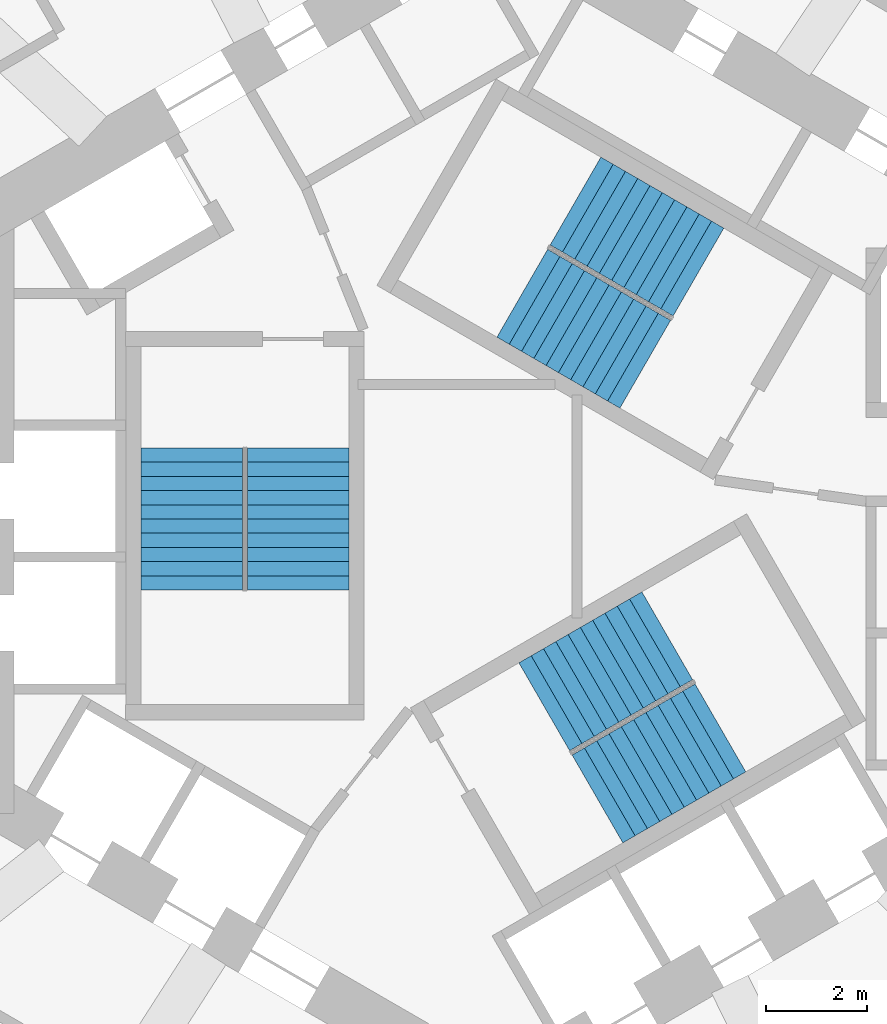
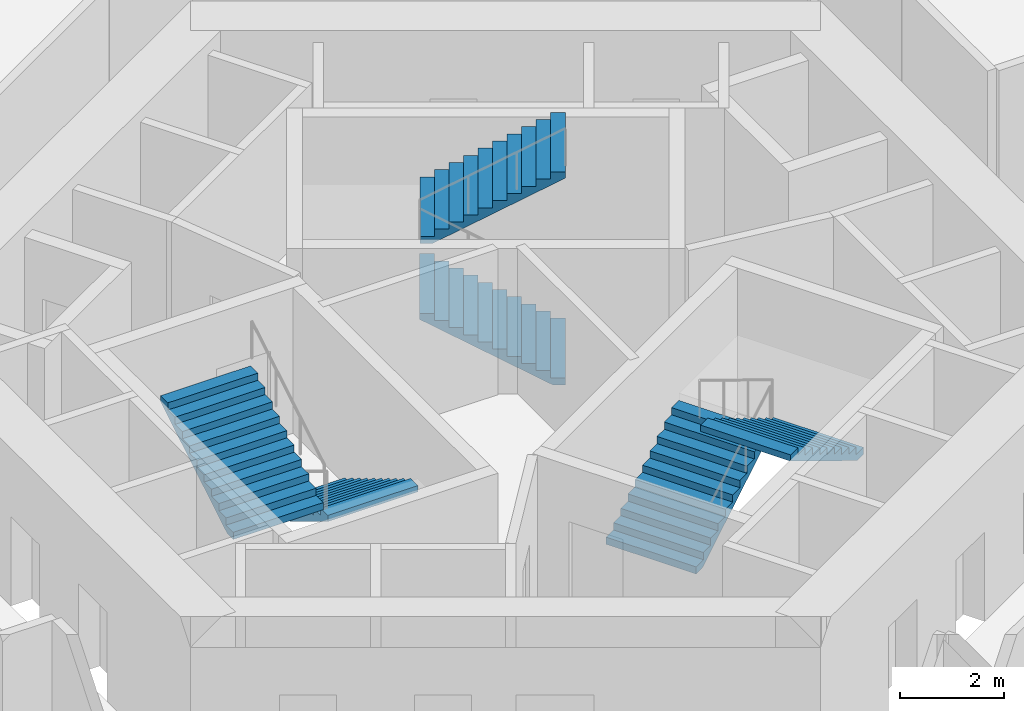
# One storey, part 8 of 10: 6 stair flights, 3 elements without a shape of their own.
"""IFC4 building model written with IfcOpenShell, lengths in metres."""

from ifc_helpers import new_model, si_unit, direction, frame, origin, place, context, subcontext, project, spatial, triangles, source, transform, mapped, material, type_object, element, aggregate, save


model = new_model("IFC4")

# Units and contexts
model_context = context("Model", 3, precision=1e-05, world=origin(), true_north=direction((0.0, 1.0)))
body_context = subcontext(model_context, "Body", "Model", "MODEL_VIEW")
ifc_project = project(units=[si_unit("LENGTHUNIT", "METRE"), si_unit("AREAUNIT", "SQUARE_METRE"), si_unit("VOLUMEUNIT", "CUBIC_METRE"), si_unit("PLANEANGLEUNIT", "RADIAN"), si_unit("MASSUNIT", "GRAM", prefix="KILO")], contexts=[model_context])

# Site, building, storey
site_placement = place(None, origin())
site = spatial("IfcSite", under=ifc_project, at=site_placement, CompositionType="ELEMENT")
building_placement = place(site_placement, origin())
building = spatial("IfcBuilding", under=site, at=building_placement, Name="Vanh Sen Convention Tower", CompositionType="ELEMENT")
storey_placement = place(building_placement, frame((0.0, 0.0, 191.0)))
storey = spatial("IfcBuildingStorey", under=building, at=storey_placement, Name="L47", CompositionType="ELEMENT", Elevation=191.0)

# Stair, stair flights
ifc_material_1 = material(Name="Concrete C50/60", Category="concrete")
stair_type_1 = type_object("IfcStairType", Name="Exit stair ST1 22 risers at 168.2", PredefinedType="HALF_TURN_STAIR", material=ifc_material_1)
stair_1_placement = place(storey_placement, origin())
stair_1 = element("IfcStair", 1, at=stair_1_placement, inside=storey, type_object=stair_type_1, Name="Exit stair ST1 L47", PredefinedType="HALF_TURN_STAIR")
ifc_material_2 = material(Name="Concrete C40/50", Category="concrete")
stair_flight_type = type_object("IfcStairFlightType", Name="Stair flight 2000", PredefinedType="STRAIGHT", material=ifc_material_2)
shared_shape = source(origin(), body_context, "Body", "Tessellation", [
    triangles([(0.24267578125, 1.0, 0.0), (0.0, 1.0, 0.0), (0.0, 1.0, 0.168212890625), (0.280029296875, 1.0, 0.168212890625), (0.280029296875, 1.0, 0.33642578125), (0.56005859375, 1.0, 0.33642578125), (0.56005859375, 1.0, 0.504638671875), (0.840087890625, 1.0, 0.504638671875), (0.840087890625, 1.0, 0.672607421875), (1.1201171875, 1.0, 0.672607421875), (1.1201171875, 1.0, 0.8408203125), (1.39990234375, 1.0, 0.8408203125), (1.39990234375, 1.0, 1.009033203125), (1.679931640625, 1.0, 1.009033203125), (1.679931640625, 1.0, 1.17724609375), (1.9599609375, 1.0, 1.17724609375), (1.9599609375, 1.0, 1.345458984375), (2.239990234375, 1.0, 1.345458984375), (2.239990234375, 1.0, 1.513671875), (2.52001953125, 1.0, 1.513671875), (2.52001953125, 1.0, 1.681884765625), (2.800048828125, 1.0, 1.681884765625), (2.800048828125, 1.0, 1.535888671875), (0.24267578125, -1.0, 0.0), (0.0, -1.0, 0.0), (0.0, -1.0, 0.168212890625), (0.280029296875, -1.0, 0.168212890625), (0.280029296875, -1.0, 0.33642578125), (0.56005859375, -1.0, 0.33642578125), (0.56005859375, -1.0, 0.504638671875), (0.840087890625, -1.0, 0.504638671875), (0.840087890625, -1.0, 0.672607421875), (1.1201171875, -1.0, 0.672607421875), (1.1201171875, -1.0, 0.8408203125), (1.39990234375, -1.0, 0.8408203125), (1.39990234375, -1.0, 1.009033203125), (1.679931640625, -1.0, 1.009033203125), (1.679931640625, -1.0, 1.17724609375), (1.9599609375, -1.0, 1.17724609375), (1.9599609375, -1.0, 1.345458984375), (2.239990234375, -1.0, 1.345458984375), (2.239990234375, -1.0, 1.513671875), (2.52001953125, -1.0, 1.513671875), (2.52001953125, -1.0, 1.681884765625), (2.800048828125, -1.0, 1.681884765625), (2.800048828125, -1.0, 1.535888671875), (0.0, 0.0400390625, 0.0), (0.0, 0.0390625, 0.0), (0.0, 0.0380859375, 0.0), (0.0, 0.037109375, 0.0), (0.0, 0.035888671875, 0.0), (0.0, 0.034912109375, 0.0), (0.0, 0.033935546875, 0.0), (0.0, 0.032958984375, 0.0), (0.0, 0.031982421875, 0.0), (0.0, 0.031005859375, 0.0), (0.0, 0.030029296875, 0.0), (0.0, 0.029052734375, 0.0), (0.0, 0.028076171875, 0.0), (0.0, 0.027099609375, 0.0), (0.0, 0.02587890625, 0.0), (0.0, 0.02490234375, 0.0), (0.0, 0.02392578125, 0.0), (0.0, 0.02294921875, 0.0), (0.0, 0.02197265625, 0.0), (0.0, 0.02099609375, 0.0), (0.0, 0.02001953125, 0.0), (0.0, 0.01904296875, 0.0), (0.0, 0.01806640625, 0.0), (0.0, 0.01708984375, 0.0), (0.0, 0.01611328125, 0.0), (0.0, 0.014892578125, 0.0), (0.0, 0.013916015625, 0.0), (0.0, 0.012939453125, 0.0), (0.0, 0.011962890625, 0.0), (0.0, 0.010986328125, 0.0), (0.0, 0.010009765625, 0.0), (0.0, 0.009033203125, 0.0), (0.0, 0.008056640625, 0.0), (0.0, 0.007080078125, 0.0), (0.0, 0.006103515625, 0.0), (0.0, 0.0048828125, 0.0), (0.0, 0.00390625, 0.0), (0.0, 0.0029296875, 0.0), (0.0, 0.001953125, 0.0), (0.0, 0.0009765625, 0.0), (0.0, 0.0, 0.0), (0.0, -0.0009765625, 0.0), (0.0, -0.001953125, 0.0), (0.0, -0.0029296875, 0.0), (0.0, -0.00390625, 0.0), (0.0, -0.0048828125, 0.0), (0.0, -0.006103515625, 0.0), (0.0, -0.007080078125, 0.0), (0.0, -0.008056640625, 0.0), (0.0, -0.009033203125, 0.0), (0.0, -0.010009765625, 0.0), (0.0, -0.010986328125, 0.0), (0.0, -0.011962890625, 0.0), (0.0, -0.012939453125, 0.0), (0.0, -0.013916015625, 0.0), (0.0, -0.014892578125, 0.0), (0.0, -0.01611328125, 0.0), (0.0, -0.01708984375, 0.0), (0.0, -0.01806640625, 0.0), (0.0, -0.01904296875, 0.0), (0.0, -0.02001953125, 0.0), (0.0, -0.02099609375, 0.0), (0.0, -0.02197265625, 0.0), (0.0, -0.02294921875, 0.0), (0.0, -0.02392578125, 0.0), (0.0, -0.02490234375, 0.0), (0.0, -0.02587890625, 0.0), (0.0, -0.027099609375, 0.0), (0.0, -0.028076171875, 0.0), (0.0, -0.029052734375, 0.0), (0.0, -0.030029296875, 0.0), (0.0, -0.031005859375, 0.0), (0.0, -0.031982421875, 0.0), (0.0, -0.032958984375, 0.0), (0.0, -0.033935546875, 0.0), (0.0, -0.034912109375, 0.0), (0.0, -0.035888671875, 0.0), (0.0, -0.037109375, 0.0), (0.0, -0.0380859375, 0.0), (0.0, -0.0390625, 0.0), (0.0, -0.0400390625, 0.0), (0.0, 0.0400390625, 0.168212890625), (0.0, 0.0390625, 0.168212890625), (0.0, 0.0380859375, 0.168212890625), (0.0, 0.037109375, 0.168212890625), (0.0, 0.035888671875, 0.168212890625), (0.0, 0.034912109375, 0.168212890625), (0.0, 0.033935546875, 0.168212890625), (0.0, 0.032958984375, 0.168212890625), (0.0, 0.031982421875, 0.168212890625), (0.0, 0.031005859375, 0.168212890625), (0.0, 0.030029296875, 0.168212890625), (0.0, 0.029052734375, 0.168212890625), (0.0, 0.028076171875, 0.168212890625), (0.0, 0.027099609375, 0.168212890625), (0.0, 0.02587890625, 0.168212890625), (0.0, 0.02490234375, 0.168212890625), (0.0, 0.02392578125, 0.168212890625), (0.0, 0.02294921875, 0.168212890625), (0.0, 0.02197265625, 0.168212890625), (0.0, 0.02099609375, 0.168212890625), (0.0, 0.02001953125, 0.168212890625), (0.0, 0.01904296875, 0.168212890625), (0.0, 0.01806640625, 0.168212890625), (0.0, 0.01708984375, 0.168212890625), (0.0, 0.01611328125, 0.168212890625), (0.0, 0.014892578125, 0.168212890625), (0.0, 0.013916015625, 0.168212890625), (0.0, 0.012939453125, 0.168212890625), (0.0, 0.011962890625, 0.168212890625), (0.0, 0.010986328125, 0.168212890625), (0.0, 0.010009765625, 0.168212890625), (0.0, 0.009033203125, 0.168212890625), (0.0, 0.008056640625, 0.168212890625), (0.0, 0.007080078125, 0.168212890625), (0.0, 0.006103515625, 0.168212890625), (0.0, 0.0048828125, 0.168212890625), (0.0, 0.00390625, 0.168212890625), (0.0, 0.0029296875, 0.168212890625), (0.0, 0.001953125, 0.168212890625), (0.0, 0.0009765625, 0.168212890625), (0.0, 0.0, 0.168212890625), (0.0, -0.0009765625, 0.168212890625), (0.0, -0.001953125, 0.168212890625), (0.0, -0.0029296875, 0.168212890625), (0.0, -0.00390625, 0.168212890625), (0.0, -0.0048828125, 0.168212890625), (0.0, -0.006103515625, 0.168212890625), (0.0, -0.007080078125, 0.168212890625), (0.0, -0.008056640625, 0.168212890625), (0.0, -0.009033203125, 0.168212890625), (0.0, -0.010009765625, 0.168212890625), (0.0, -0.010986328125, 0.168212890625), (0.0, -0.011962890625, 0.168212890625), (0.0, -0.012939453125, 0.168212890625), (0.0, -0.013916015625, 0.168212890625), (0.0, -0.014892578125, 0.168212890625), (0.0, -0.01611328125, 0.168212890625), (0.0, -0.01708984375, 0.168212890625), (0.0, -0.01806640625, 0.168212890625), (0.0, -0.01904296875, 0.168212890625), (0.0, -0.02001953125, 0.168212890625), (0.0, -0.02099609375, 0.168212890625), (0.0, -0.02197265625, 0.168212890625), (0.0, -0.02294921875, 0.168212890625), (0.0, -0.02392578125, 0.168212890625), (0.0, -0.02490234375, 0.168212890625), (0.0, -0.02587890625, 0.168212890625), (0.0, -0.027099609375, 0.168212890625), (0.0, -0.028076171875, 0.168212890625), (0.0, -0.029052734375, 0.168212890625), (0.0, -0.030029296875, 0.168212890625), (0.0, -0.031005859375, 0.168212890625), (0.0, -0.031982421875, 0.168212890625), (0.0, -0.032958984375, 0.168212890625), (0.0, -0.033935546875, 0.168212890625), (0.0, -0.034912109375, 0.168212890625), (0.0, -0.035888671875, 0.168212890625), (0.0, -0.037109375, 0.168212890625), (0.0, -0.0380859375, 0.168212890625), (0.0, -0.0390625, 0.168212890625), (0.0, -0.0400390625, 0.168212890625), (0.280029296875, 0.0, 0.168212890625), (0.280029296875, 0.0, 0.33642578125), (0.56005859375, 0.0, 0.33642578125), (0.56005859375, 0.0, 0.504638671875), (0.840087890625, 0.0, 0.504638671875), (0.840087890625, 0.0, 0.672607421875), (1.1201171875, 0.0, 0.672607421875), (1.1201171875, 0.0, 0.8408203125), (1.39990234375, 0.0, 0.8408203125), (1.39990234375, 0.0, 1.009033203125), (1.679931640625, 0.0, 1.009033203125), (1.679931640625, 0.0, 1.17724609375), (1.9599609375, 0.0, 1.17724609375), (1.9599609375, 0.0, 1.345458984375), (2.239990234375, 0.0, 1.345458984375), (2.239990234375, 0.0, 1.513671875), (2.52001953125, 0.0, 1.513671875), (2.52001953125, 0.0, 1.681884765625), (2.800048828125, 0.0400390625, 1.681884765625), (2.800048828125, 0.0390625, 1.681884765625), (2.800048828125, 0.0380859375, 1.681884765625), (2.800048828125, 0.037109375, 1.681884765625), (2.800048828125, 0.035888671875, 1.681884765625), (2.800048828125, 0.034912109375, 1.681884765625), (2.800048828125, 0.033935546875, 1.681884765625), (2.800048828125, 0.032958984375, 1.681884765625), (2.800048828125, 0.031982421875, 1.681884765625), (2.800048828125, 0.031005859375, 1.681884765625), (2.800048828125, 0.030029296875, 1.681884765625), (2.800048828125, 0.029052734375, 1.681884765625), (2.800048828125, 0.028076171875, 1.681884765625), (2.800048828125, 0.027099609375, 1.681884765625), (2.800048828125, 0.02587890625, 1.681884765625), (2.800048828125, 0.02490234375, 1.681884765625), (2.800048828125, 0.02392578125, 1.681884765625), (2.800048828125, 0.02294921875, 1.681884765625), (2.800048828125, 0.02197265625, 1.681884765625), (2.800048828125, 0.02099609375, 1.681884765625), (2.800048828125, 0.02001953125, 1.681884765625), (2.800048828125, 0.01904296875, 1.681884765625), (2.800048828125, 0.01806640625, 1.681884765625), (2.800048828125, 0.01708984375, 1.681884765625), (2.800048828125, 0.01611328125, 1.681884765625), (2.800048828125, 0.014892578125, 1.681884765625), (2.800048828125, 0.013916015625, 1.681884765625), (2.800048828125, 0.012939453125, 1.681884765625), (2.800048828125, 0.011962890625, 1.681884765625), (2.800048828125, 0.010986328125, 1.681884765625), (2.800048828125, 0.010009765625, 1.681884765625), (2.800048828125, 0.009033203125, 1.681884765625), (2.800048828125, 0.008056640625, 1.681884765625), (2.800048828125, 0.007080078125, 1.681884765625), (2.800048828125, 0.006103515625, 1.681884765625), (2.800048828125, 0.0048828125, 1.681884765625), (2.800048828125, 0.00390625, 1.681884765625), (2.800048828125, 0.0029296875, 1.681884765625), (2.800048828125, 0.001953125, 1.681884765625), (2.800048828125, 0.0009765625, 1.681884765625), (2.800048828125, 0.0, 1.681884765625), (2.800048828125, -0.0009765625, 1.681884765625), (2.800048828125, -0.001953125, 1.681884765625), (2.800048828125, -0.0029296875, 1.681884765625), (2.800048828125, -0.00390625, 1.681884765625), (2.800048828125, -0.0048828125, 1.681884765625), (2.800048828125, -0.006103515625, 1.681884765625), (2.800048828125, -0.007080078125, 1.681884765625), (2.800048828125, -0.008056640625, 1.681884765625), (2.800048828125, -0.009033203125, 1.681884765625), (2.800048828125, -0.010009765625, 1.681884765625), (2.800048828125, -0.010986328125, 1.681884765625), (2.800048828125, -0.011962890625, 1.681884765625), (2.800048828125, -0.012939453125, 1.681884765625), (2.800048828125, -0.013916015625, 1.681884765625), (2.800048828125, -0.014892578125, 1.681884765625), (2.800048828125, -0.01611328125, 1.681884765625), (2.800048828125, -0.01708984375, 1.681884765625), (2.800048828125, -0.01806640625, 1.681884765625), (2.800048828125, -0.01904296875, 1.681884765625), (2.800048828125, -0.02001953125, 1.681884765625), (2.800048828125, -0.02099609375, 1.681884765625), (2.800048828125, -0.02197265625, 1.681884765625), (2.800048828125, -0.02294921875, 1.681884765625), (2.800048828125, -0.02392578125, 1.681884765625), (2.800048828125, -0.02490234375, 1.681884765625), (2.800048828125, -0.02587890625, 1.681884765625), (2.800048828125, -0.027099609375, 1.681884765625), (2.800048828125, -0.028076171875, 1.681884765625), (2.800048828125, -0.029052734375, 1.681884765625), (2.800048828125, -0.030029296875, 1.681884765625), (2.800048828125, -0.031005859375, 1.681884765625), (2.800048828125, -0.031982421875, 1.681884765625), (2.800048828125, -0.032958984375, 1.681884765625), (2.800048828125, -0.033935546875, 1.681884765625), (2.800048828125, -0.034912109375, 1.681884765625), (2.800048828125, -0.035888671875, 1.681884765625), (2.800048828125, -0.037109375, 1.681884765625), (2.800048828125, -0.0380859375, 1.681884765625), (2.800048828125, -0.0390625, 1.681884765625), (2.800048828125, -0.0400390625, 1.681884765625), (2.800048828125, 0.0400390625, 1.535888671875), (2.800048828125, 0.0390625, 1.535888671875), (2.800048828125, 0.0380859375, 1.535888671875), (2.800048828125, 0.037109375, 1.535888671875), (2.800048828125, 0.035888671875, 1.535888671875), (2.800048828125, 0.034912109375, 1.535888671875), (2.800048828125, 0.033935546875, 1.535888671875), (2.800048828125, 0.032958984375, 1.535888671875), (2.800048828125, 0.031982421875, 1.535888671875), (2.800048828125, 0.031005859375, 1.535888671875), (2.800048828125, 0.030029296875, 1.535888671875), (2.800048828125, 0.029052734375, 1.535888671875), (2.800048828125, 0.028076171875, 1.535888671875), (2.800048828125, 0.027099609375, 1.535888671875), (2.800048828125, 0.02587890625, 1.535888671875), (2.800048828125, 0.02490234375, 1.535888671875), (2.800048828125, 0.02392578125, 1.535888671875), (2.800048828125, 0.02294921875, 1.535888671875), (2.800048828125, 0.02197265625, 1.535888671875), (2.800048828125, 0.02099609375, 1.535888671875), (2.800048828125, 0.02001953125, 1.535888671875), (2.800048828125, 0.01904296875, 1.535888671875), (2.800048828125, 0.01806640625, 1.535888671875), (2.800048828125, 0.01708984375, 1.535888671875), (2.800048828125, 0.01611328125, 1.535888671875), (2.800048828125, 0.014892578125, 1.535888671875), (2.800048828125, 0.013916015625, 1.535888671875), (2.800048828125, 0.012939453125, 1.535888671875), (2.800048828125, 0.011962890625, 1.535888671875), (2.800048828125, 0.010986328125, 1.535888671875), (2.800048828125, 0.010009765625, 1.535888671875), (2.800048828125, 0.009033203125, 1.535888671875), (2.800048828125, 0.008056640625, 1.535888671875), (2.800048828125, 0.007080078125, 1.535888671875), (2.800048828125, 0.006103515625, 1.535888671875), (2.800048828125, 0.0048828125, 1.535888671875), (2.800048828125, 0.00390625, 1.535888671875), (2.800048828125, 0.0029296875, 1.535888671875), (2.800048828125, 0.001953125, 1.535888671875), (2.800048828125, 0.0009765625, 1.535888671875), (2.800048828125, 0.0, 1.535888671875), (2.800048828125, -0.0009765625, 1.535888671875), (2.800048828125, -0.001953125, 1.535888671875), (2.800048828125, -0.0029296875, 1.535888671875), (2.800048828125, -0.00390625, 1.535888671875), (2.800048828125, -0.0048828125, 1.535888671875), (2.800048828125, -0.006103515625, 1.535888671875), (2.800048828125, -0.007080078125, 1.535888671875), (2.800048828125, -0.008056640625, 1.535888671875), (2.800048828125, -0.009033203125, 1.535888671875), (2.800048828125, -0.010009765625, 1.535888671875), (2.800048828125, -0.010986328125, 1.535888671875), (2.800048828125, -0.011962890625, 1.535888671875), (2.800048828125, -0.012939453125, 1.535888671875), (2.800048828125, -0.013916015625, 1.535888671875), (2.800048828125, -0.014892578125, 1.535888671875), (2.800048828125, -0.01611328125, 1.535888671875), (2.800048828125, -0.01708984375, 1.535888671875), (2.800048828125, -0.01806640625, 1.535888671875), (2.800048828125, -0.01904296875, 1.535888671875), (2.800048828125, -0.02001953125, 1.535888671875), (2.800048828125, -0.02099609375, 1.535888671875), (2.800048828125, -0.02197265625, 1.535888671875), (2.800048828125, -0.02294921875, 1.535888671875), (2.800048828125, -0.02392578125, 1.535888671875), (2.800048828125, -0.02490234375, 1.535888671875), (2.800048828125, -0.02587890625, 1.535888671875), (2.800048828125, -0.027099609375, 1.535888671875), (2.800048828125, -0.028076171875, 1.535888671875), (2.800048828125, -0.029052734375, 1.535888671875), (2.800048828125, -0.030029296875, 1.535888671875), (2.800048828125, -0.031005859375, 1.535888671875), (2.800048828125, -0.031982421875, 1.535888671875), (2.800048828125, -0.032958984375, 1.535888671875), (2.800048828125, -0.033935546875, 1.535888671875), (2.800048828125, -0.034912109375, 1.535888671875), (2.800048828125, -0.035888671875, 1.535888671875), (2.800048828125, -0.037109375, 1.535888671875), (2.800048828125, -0.0380859375, 1.535888671875), (2.800048828125, -0.0390625, 1.535888671875), (2.800048828125, -0.0400390625, 1.535888671875), (0.24267578125, 0.0, 0.0)], [[1, 2, 3], [1, 3, 4], [4, 5, 6], [1, 4, 6], [6, 7, 8], [1, 6, 8], [8, 9, 10], [1, 8, 10], [10, 11, 12], [1, 10, 12], [12, 13, 14], [1, 12, 14], [14, 15, 16], [1, 14, 16], [16, 17, 18], [1, 16, 18], [18, 19, 20], [1, 18, 20], [20, 21, 22], [1, 20, 22], [22, 23, 1], [24, 26, 25], [24, 27, 26], [27, 29, 28], [24, 29, 27], [29, 31, 30], [24, 31, 29], [31, 33, 32], [24, 33, 31], [33, 35, 34], [24, 35, 33], [35, 37, 36], [24, 37, 35], [37, 39, 38], [24, 39, 37], [39, 41, 40], [24, 41, 39], [41, 43, 42], [24, 43, 41], [43, 45, 44], [24, 45, 43], [45, 24, 46], [2, 128, 3], [2, 47, 128], [47, 129, 128], [47, 48, 129], [48, 130, 129], [48, 49, 130], [49, 131, 130], [49, 50, 131], [50, 132, 131], [50, 51, 132], [51, 133, 132], [51, 52, 133], [52, 134, 133], [52, 53, 134], [53, 135, 134], [53, 54, 135], [54, 136, 135], [54, 55, 136], [55, 137, 136], [55, 56, 137], [56, 138, 137], [56, 57, 138], [57, 139, 138], [57, 58, 139], [58, 140, 139], [58, 59, 140], [59, 141, 140], [59, 60, 141], [60, 142, 141], [60, 61, 142], [61, 143, 142], [61, 62, 143], [62, 144, 143], [62, 63, 144], [63, 145, 144], [63, 64, 145], [64, 146, 145], [64, 65, 146], [65, 147, 146], [65, 66, 147], [66, 148, 147], [66, 67, 148], [67, 149, 148], [67, 68, 149], [68, 150, 149], [68, 69, 150], [69, 151, 150], [69, 70, 151], [70, 152, 151], [70, 71, 152], [71, 153, 152], [71, 72, 153], [72, 154, 153], [72, 73, 154], [73, 155, 154], [73, 74, 155], [74, 156, 155], [74, 75, 156], [75, 157, 156], [75, 76, 157], [76, 158, 157], [76, 77, 158], [77, 159, 158], [77, 78, 159], [78, 160, 159], [78, 79, 160], [79, 161, 160], [79, 80, 161], [80, 162, 161], [80, 81, 162], [81, 163, 162], [81, 82, 163], [82, 164, 163], [82, 83, 164], [83, 165, 164], [83, 84, 165], [84, 166, 165], [84, 85, 166], [85, 167, 166], [85, 86, 167], [86, 168, 167], [86, 87, 168], [87, 88, 168], [168, 88, 169], [88, 89, 169], [169, 89, 170], [89, 90, 170], [170, 90, 171], [90, 91, 171], [171, 91, 172], [91, 92, 172], [172, 92, 173], [92, 93, 173], [173, 93, 174], [93, 94, 174], [174, 94, 175], [94, 95, 175], [175, 95, 176], [95, 96, 176], [176, 96, 177], [96, 97, 177], [177, 97, 178], [97, 98, 178], [178, 98, 179], [98, 99, 179], [179, 99, 180], [99, 100, 180], [180, 100, 181], [100, 101, 181], [181, 101, 182], [101, 102, 182], [182, 102, 183], [102, 103, 183], [183, 103, 184], [103, 104, 184], [184, 104, 185], [104, 105, 185], [185, 105, 186], [105, 106, 186], [186, 106, 187], [106, 107, 187], [187, 107, 188], [107, 108, 188], [188, 108, 189], [108, 109, 189], [189, 109, 190], [109, 110, 190], [190, 110, 191], [110, 111, 191], [191, 111, 192], [111, 112, 192], [192, 112, 193], [112, 113, 193], [193, 113, 194], [113, 114, 194], [194, 114, 195], [114, 115, 195], [195, 115, 196], [115, 116, 196], [196, 116, 197], [116, 117, 197], [197, 117, 198], [117, 118, 198], [198, 118, 199], [118, 119, 199], [199, 119, 200], [119, 120, 200], [200, 120, 201], [120, 121, 201], [201, 121, 202], [121, 122, 202], [202, 122, 203], [122, 123, 203], [203, 123, 204], [123, 124, 204], [204, 124, 205], [124, 125, 205], [205, 125, 206], [125, 126, 206], [206, 126, 207], [126, 127, 207], [207, 127, 208], [127, 25, 208], [208, 25, 26], [4, 3, 128], [4, 128, 129], [4, 129, 130], [4, 130, 131], [4, 131, 132], [4, 132, 133], [4, 133, 134], [4, 134, 135], [4, 135, 136], [4, 136, 137], [4, 137, 138], [4, 138, 139], [4, 139, 140], [4, 140, 141], [4, 141, 142], [4, 142, 143], [4, 143, 144], [4, 144, 145], [4, 145, 146], [4, 146, 147], [4, 147, 148], [4, 148, 149], [4, 149, 150], [4, 150, 151], [4, 151, 152], [4, 152, 153], [4, 153, 154], [4, 154, 155], [4, 155, 156], [4, 156, 157], [4, 157, 158], [4, 158, 159], [4, 159, 160], [4, 160, 161], [4, 161, 162], [4, 162, 163], [4, 163, 164], [4, 164, 165], [4, 165, 166], [4, 166, 167], [4, 167, 168], [27, 168, 169], [27, 169, 170], [27, 170, 171], [27, 171, 172], [27, 172, 173], [27, 173, 174], [27, 174, 175], [27, 175, 176], [27, 176, 177], [27, 177, 178], [27, 178, 179], [27, 179, 180], [27, 180, 181], [27, 181, 182], [27, 182, 183], [27, 183, 184], [27, 184, 185], [27, 185, 186], [27, 186, 187], [27, 187, 188], [27, 188, 189], [27, 189, 190], [27, 190, 191], [27, 191, 192], [27, 192, 193], [27, 193, 194], [27, 194, 195], [27, 195, 196], [27, 196, 197], [27, 197, 198], [27, 198, 199], [27, 199, 200], [27, 200, 201], [27, 201, 202], [27, 202, 203], [27, 203, 204], [27, 204, 205], [27, 205, 206], [27, 206, 207], [27, 207, 208], [27, 208, 26], [4, 168, 209], [27, 209, 168], [4, 210, 5], [4, 209, 210], [209, 27, 210], [210, 27, 28], [5, 211, 6], [5, 210, 211], [210, 28, 211], [211, 28, 29], [6, 212, 7], [6, 211, 212], [211, 29, 212], [212, 29, 30], [7, 213, 8], [7, 212, 213], [212, 30, 213], [213, 30, 31], [8, 214, 9], [8, 213, 214], [213, 31, 214], [214, 31, 32], [9, 215, 10], [9, 214, 215], [214, 32, 215], [215, 32, 33], [10, 216, 11], [10, 215, 216], [215, 33, 216], [216, 33, 34], [11, 217, 12], [11, 216, 217], [216, 34, 217], [217, 34, 35], [12, 218, 13], [12, 217, 218], [217, 35, 218], [218, 35, 36], [13, 219, 14], [13, 218, 219], [218, 36, 219], [219, 36, 37], [14, 220, 15], [14, 219, 220], [219, 37, 220], [220, 37, 38], [15, 221, 16], [15, 220, 221], [220, 38, 221], [221, 38, 39], [16, 222, 17], [16, 221, 222], [221, 39, 222], [222, 39, 40], [17, 223, 18], [17, 222, 223], [222, 40, 223], [223, 40, 41], [18, 224, 19], [18, 223, 224], [223, 41, 224], [224, 41, 42], [19, 225, 20], [19, 224, 225], [224, 42, 225], [225, 42, 43], [20, 226, 21], [20, 225, 226], [225, 43, 226], [226, 43, 44], [21, 227, 22], [21, 228, 227], [21, 229, 228], [21, 230, 229], [21, 231, 230], [21, 232, 231], [21, 233, 232], [21, 234, 233], [21, 235, 234], [21, 236, 235], [21, 237, 236], [21, 238, 237], [21, 239, 238], [21, 240, 239], [21, 241, 240], [21, 242, 241], [21, 243, 242], [21, 244, 243], [21, 245, 244], [21, 246, 245], [21, 247, 246], [21, 248, 247], [21, 249, 248], [21, 250, 249], [21, 251, 250], [21, 252, 251], [21, 253, 252], [21, 254, 253], [21, 255, 254], [21, 256, 255], [21, 257, 256], [21, 258, 257], [21, 259, 258], [21, 260, 259], [21, 261, 260], [21, 262, 261], [21, 263, 262], [21, 264, 263], [21, 265, 264], [21, 266, 265], [21, 267, 266], [44, 268, 267], [44, 269, 268], [44, 270, 269], [44, 271, 270], [44, 272, 271], [44, 273, 272], [44, 274, 273], [44, 275, 274], [44, 276, 275], [44, 277, 276], [44, 278, 277], [44, 279, 278], [44, 280, 279], [44, 281, 280], [44, 282, 281], [44, 283, 282], [44, 284, 283], [44, 285, 284], [44, 286, 285], [44, 287, 286], [44, 288, 287], [44, 289, 288], [44, 290, 289], [44, 291, 290], [44, 292, 291], [44, 293, 292], [44, 294, 293], [44, 295, 294], [44, 296, 295], [44, 297, 296], [44, 298, 297], [44, 299, 298], [44, 300, 299], [44, 301, 300], [44, 302, 301], [44, 303, 302], [44, 304, 303], [44, 305, 304], [44, 306, 305], [44, 307, 306], [44, 45, 307], [21, 226, 267], [44, 267, 226], [22, 308, 23], [22, 227, 308], [227, 309, 308], [227, 228, 309], [228, 310, 309], [228, 229, 310], [229, 311, 310], [229, 230, 311], [230, 312, 311], [230, 231, 312], [231, 313, 312], [231, 232, 313], [232, 314, 313], [232, 233, 314], [233, 315, 314], [233, 234, 315], [234, 316, 315], [234, 235, 316], [235, 317, 316], [235, 236, 317], [236, 318, 317], [236, 237, 318], [237, 319, 318], [237, 238, 319], [238, 320, 319], [238, 239, 320], [239, 321, 320], [239, 240, 321], [240, 322, 321], [240, 241, 322], [241, 323, 322], [241, 242, 323], [242, 324, 323], [242, 243, 324], [243, 325, 324], [243, 244, 325], [244, 326, 325], [244, 245, 326], [245, 327, 326], [245, 246, 327], [246, 328, 327], [246, 247, 328], [247, 329, 328], [247, 248, 329], [248, 330, 329], [248, 249, 330], [249, 331, 330], [249, 250, 331], [250, 332, 331], [250, 251, 332], [251, 333, 332], [251, 252, 333], [252, 334, 333], [252, 253, 334], [253, 335, 334], [253, 254, 335], [254, 336, 335], [254, 255, 336], [255, 337, 336], [255, 256, 337], [256, 338, 337], [256, 257, 338], [257, 339, 338], [257, 258, 339], [258, 340, 339], [258, 259, 340], [259, 341, 340], [259, 260, 341], [260, 342, 341], [260, 261, 342], [261, 343, 342], [261, 262, 343], [262, 344, 343], [262, 263, 344], [263, 345, 344], [263, 264, 345], [264, 346, 345], [264, 265, 346], [265, 347, 346], [265, 266, 347], [266, 348, 347], [266, 267, 348], [267, 268, 348], [348, 268, 349], [268, 269, 349], [349, 269, 350], [269, 270, 350], [350, 270, 351], [270, 271, 351], [351, 271, 352], [271, 272, 352], [352, 272, 353], [272, 273, 353], [353, 273, 354], [273, 274, 354], [354, 274, 355], [274, 275, 355], [355, 275, 356], [275, 276, 356], [356, 276, 357], [276, 277, 357], [357, 277, 358], [277, 278, 358], [358, 278, 359], [278, 279, 359], [359, 279, 360], [279, 280, 360], [360, 280, 361], [280, 281, 361], [361, 281, 362], [281, 282, 362], [362, 282, 363], [282, 283, 363], [363, 283, 364], [283, 284, 364], [364, 284, 365], [284, 285, 365], [365, 285, 366], [285, 286, 366], [366, 286, 367], [286, 287, 367], [367, 287, 368], [287, 288, 368], [368, 288, 369], [288, 289, 369], [369, 289, 370], [289, 290, 370], [370, 290, 371], [290, 291, 371], [371, 291, 372], [291, 292, 372], [372, 292, 373], [292, 293, 373], [373, 293, 374], [293, 294, 374], [374, 294, 375], [294, 295, 375], [375, 295, 376], [295, 296, 376], [376, 296, 377], [296, 297, 377], [377, 297, 378], [297, 298, 378], [378, 298, 379], [298, 299, 379], [379, 299, 380], [299, 300, 380], [380, 300, 381], [300, 301, 381], [381, 301, 382], [301, 302, 382], [382, 302, 383], [302, 303, 383], [383, 303, 384], [303, 304, 384], [384, 304, 385], [304, 305, 385], [385, 305, 386], [305, 306, 386], [386, 306, 387], [306, 307, 387], [387, 307, 388], [307, 45, 388], [388, 45, 46], [1, 23, 308], [1, 308, 309], [1, 309, 310], [1, 310, 311], [1, 311, 312], [1, 312, 313], [1, 313, 314], [1, 314, 315], [1, 315, 316], [1, 316, 317], [1, 317, 318], [1, 318, 319], [1, 319, 320], [1, 320, 321], [1, 321, 322], [1, 322, 323], [1, 323, 324], [1, 324, 325], [1, 325, 326], [1, 326, 327], [1, 327, 328], [1, 328, 329], [1, 329, 330], [1, 330, 331], [1, 331, 332], [1, 332, 333], [1, 333, 334], [1, 334, 335], [1, 335, 336], [1, 336, 337], [1, 337, 338], [1, 338, 339], [1, 339, 340], [1, 340, 341], [1, 341, 342], [1, 342, 343], [1, 343, 344], [1, 344, 345], [1, 345, 346], [1, 346, 347], [1, 347, 348], [24, 348, 349], [24, 349, 350], [24, 350, 351], [24, 351, 352], [24, 352, 353], [24, 353, 354], [24, 354, 355], [24, 355, 356], [24, 356, 357], [24, 357, 358], [24, 358, 359], [24, 359, 360], [24, 360, 361], [24, 361, 362], [24, 362, 363], [24, 363, 364], [24, 364, 365], [24, 365, 366], [24, 366, 367], [24, 367, 368], [24, 368, 369], [24, 369, 370], [24, 370, 371], [24, 371, 372], [24, 372, 373], [24, 373, 374], [24, 374, 375], [24, 375, 376], [24, 376, 377], [24, 377, 378], [24, 378, 379], [24, 379, 380], [24, 380, 381], [24, 381, 382], [24, 382, 383], [24, 383, 384], [24, 384, 385], [24, 385, 386], [24, 386, 387], [24, 387, 388], [24, 388, 46], [1, 348, 389], [24, 389, 348], [1, 47, 2], [1, 48, 47], [1, 49, 48], [1, 50, 49], [1, 51, 50], [1, 52, 51], [1, 53, 52], [1, 54, 53], [1, 55, 54], [1, 56, 55], [1, 57, 56], [1, 58, 57], [1, 59, 58], [1, 60, 59], [1, 61, 60], [1, 62, 61], [1, 63, 62], [1, 64, 63], [1, 65, 64], [1, 66, 65], [1, 67, 66], [1, 68, 67], [1, 69, 68], [1, 70, 69], [1, 71, 70], [1, 72, 71], [1, 73, 72], [1, 74, 73], [1, 75, 74], [1, 76, 75], [1, 77, 76], [1, 78, 77], [1, 79, 78], [1, 80, 79], [1, 81, 80], [1, 82, 81], [1, 83, 82], [1, 84, 83], [1, 85, 84], [1, 86, 85], [1, 87, 86], [24, 88, 87], [24, 89, 88], [24, 90, 89], [24, 91, 90], [24, 92, 91], [24, 93, 92], [24, 94, 93], [24, 95, 94], [24, 96, 95], [24, 97, 96], [24, 98, 97], [24, 99, 98], [24, 100, 99], [24, 101, 100], [24, 102, 101], [24, 103, 102], [24, 104, 103], [24, 105, 104], [24, 106, 105], [24, 107, 106], [24, 108, 107], [24, 109, 108], [24, 110, 109], [24, 111, 110], [24, 112, 111], [24, 113, 112], [24, 114, 113], [24, 115, 114], [24, 116, 115], [24, 117, 116], [24, 118, 117], [24, 119, 118], [24, 120, 119], [24, 121, 120], [24, 122, 121], [24, 123, 122], [24, 124, 123], [24, 125, 124], [24, 126, 125], [24, 127, 126], [24, 25, 127], [1, 389, 87], [24, 87, 389]], closed=True),
])
stair_flight_1_placement = place(storey_placement, frame((2.94580078125, 2.802490234375, 0.0), z_axis=(0.0, 0.0, 1.0), x_axis=(-0.866025403784, 0.5, 0.0)))
stair_flight_1 = element("IfcStairFlight", 2, at=stair_flight_1_placement, type_object=stair_flight_type, Name="ST1 flight 1", NumberOfRisers=11, NumberOfTreads=10, PredefinedType="STRAIGHT", RiserHeight=0.168181818, TreadLength=0.28, context=body_context, shape_type="MappedRepresentation", body=[
    mapped(shared_shape, transform((0.0, 0.0, 0.0))),
])
stair_flight_2_placement = place(storey_placement, frame((1.571044921875, 6.021240234375, 1.85009765625), z_axis=(0.0, 0.0, 1.0), x_axis=(0.866025403784, -0.5, 0.0)))
stair_flight_2 = element("IfcStairFlight", 3, at=stair_flight_2_placement, type_object=stair_flight_type, Name="ST1 flight 2", NumberOfRisers=11, NumberOfTreads=10, PredefinedType="STRAIGHT", RiserHeight=0.168181818, TreadLength=0.28, context=body_context, shape_type="MappedRepresentation", body=[
    mapped(shared_shape, transform((0.0, 0.0, 0.0))),
])
aggregate(stair_1, [stair_flight_1, stair_flight_2])

stair_type_2 = type_object("IfcStairType", Name="Exit stair ST2 22 risers at 168.2", PredefinedType="HALF_TURN_STAIR", material=ifc_material_1)
stair_2_placement = place(storey_placement, origin())
stair_2 = element("IfcStair", 4, at=stair_2_placement, inside=storey, type_object=stair_type_2, Name="Exit stair ST2 L47", PredefinedType="HALF_TURN_STAIR")
stair_flight_3_placement = place(storey_placement, frame((-3.89990234375, 1.14990234375, 0.0), z_axis=(0.0, 0.0, 1.0), x_axis=(0.0, -1.0, 0.0)))
stair_flight_3 = element("IfcStairFlight", 5, at=stair_flight_3_placement, type_object=stair_flight_type, Name="ST2 flight 1", NumberOfRisers=11, NumberOfTreads=10, PredefinedType="STRAIGHT", RiserHeight=0.168181818, TreadLength=0.28, context=body_context, shape_type="MappedRepresentation", body=[
    mapped(shared_shape, transform((0.0, 0.0, 0.0))),
])
stair_flight_4_placement = place(storey_placement, frame((-6.0, -1.64990234375, 1.85009765625), z_axis=(0.0, 0.0, 1.0), x_axis=(0.0, 1.0, 0.0)))
stair_flight_4 = element("IfcStairFlight", 6, at=stair_flight_4_placement, type_object=stair_flight_type, Name="ST2 flight 2", NumberOfRisers=11, NumberOfTreads=10, PredefinedType="STRAIGHT", RiserHeight=0.168181818, TreadLength=0.28, context=body_context, shape_type="MappedRepresentation", body=[
    mapped(shared_shape, transform((0.0, 0.0, 0.0))),
])
aggregate(stair_2, [stair_flight_3, stair_flight_4])

stair_type_3 = type_object("IfcStairType", Name="Exit stair ST3 22 risers at 168.2", PredefinedType="HALF_TURN_STAIR", material=ifc_material_1)
stair_3_placement = place(storey_placement, origin())
stair_3 = element("IfcStair", 7, at=stair_3_placement, inside=storey, type_object=stair_type_3, Name="Exit stair ST3 L47", PredefinedType="HALF_TURN_STAIR")
stair_flight_5_placement = place(storey_placement, frame((0.9541015625, -3.952392578125, 0.0), z_axis=(0.0, 0.0, 1.0), x_axis=(0.866025403784, 0.5, 0.0)))
stair_flight_5 = element("IfcStairFlight", 8, at=stair_flight_5_placement, type_object=stair_flight_type, Name="ST3 flight 1", NumberOfRisers=11, NumberOfTreads=10, PredefinedType="STRAIGHT", RiserHeight=0.168181818, TreadLength=0.28, context=body_context, shape_type="MappedRepresentation", body=[
    mapped(shared_shape, transform((0.0, 0.0, 0.0))),
])
stair_flight_6_placement = place(storey_placement, frame((4.428955078125, -4.37109375, 1.85009765625), z_axis=(0.0, 0.0, 1.0), x_axis=(-0.866025403784, -0.5, 0.0)))
stair_flight_6 = element("IfcStairFlight", 9, at=stair_flight_6_placement, type_object=stair_flight_type, Name="ST3 flight 2", NumberOfRisers=11, NumberOfTreads=10, PredefinedType="STRAIGHT", RiserHeight=0.168181818, TreadLength=0.28, context=body_context, shape_type="MappedRepresentation", body=[
    mapped(shared_shape, transform((0.0, 0.0, 0.0))),
])
aggregate(stair_3, [stair_flight_5, stair_flight_6])

save(model, "model.ifc")
